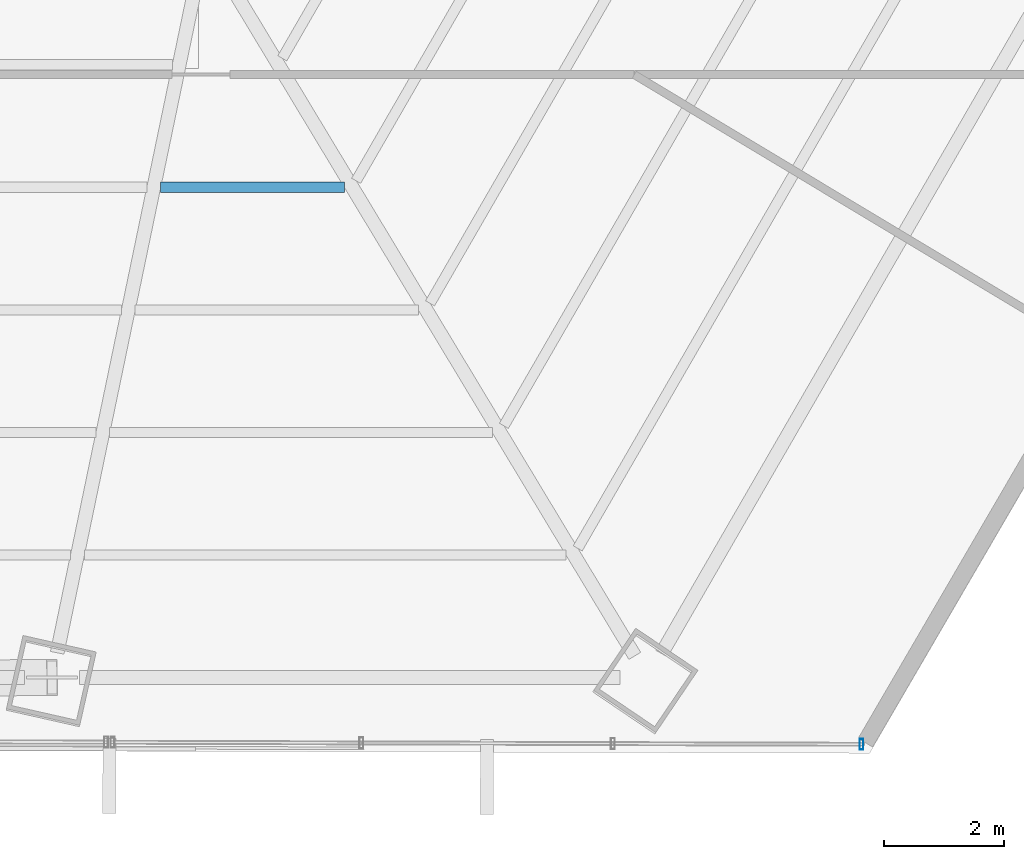
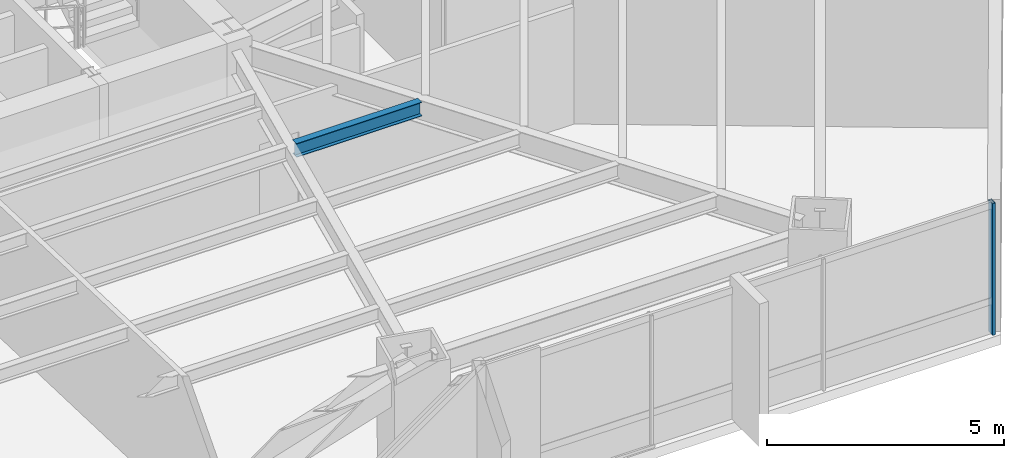
# One storey, part 14 of 33: 1 beam, 1 member, 1 element without a shape of its own.
"""IFC4 building model written with IfcOpenShell, lengths in metres."""

from ifc_helpers import new_model, si_unit, direction, frame, origin, origin_2d, place, context, subcontext, project, spatial, hollow_rectangle, i_section, extrude, source, transform, mapped, material, material_profile, profile_set, type_object, type_shapes, element, aggregate, save


model = new_model("IFC4")

# Units and contexts
model_context = context("Model", 3, precision=1e-05, world=origin(), true_north=direction((0.0, 1.0)))
body_context = subcontext(model_context, "Body", "Model", "MODEL_VIEW")
ifc_project = project(units=[si_unit("LENGTHUNIT", "METRE"), si_unit("AREAUNIT", "SQUARE_METRE"), si_unit("VOLUMEUNIT", "CUBIC_METRE"), si_unit("PLANEANGLEUNIT", "RADIAN"), si_unit("MASSUNIT", "GRAM", prefix="KILO")], contexts=[model_context])

# Site, building, storey
site_placement = place(None, origin())
site = spatial("IfcSite", under=ifc_project, at=site_placement, CompositionType="ELEMENT")
building_placement = place(site_placement, origin())
building = spatial("IfcBuilding", under=site, at=building_placement, Name="Caelisora Broadcast Tower", CompositionType="ELEMENT")
storey_placement = place(building_placement, frame((0.0, 0.0, 42.199951171875)))
storey = spatial("IfcBuildingStorey", under=building, at=storey_placement, Name="L10", CompositionType="ELEMENT", Elevation=42.199951171875)

# Beam
ifc_material_1 = material(Name="Steel Grade 350 (AS/NZS 3679.1)", Category="steel")
ifc_material_profile_1 = material_profile(ifc_material_1, i_section(OverallWidth=0.172119140625, OverallDepth=0.358642578125, WebThickness=0.008056640625, FlangeThickness=0.012939453125, at=origin_2d()), Name="Steel Grade 350 (AS/NZS 3679.1)")
ifc_profile_set_1 = profile_set([ifc_material_profile_1], Name="Steel Grade 350 (AS/NZS 3679.1)")
beam_type = type_object("IfcBeamType", Name="SB02", PredefinedType="JOIST", material=ifc_profile_set_1)
shared_shape_1 = source(origin(), body_context, "Body", "SweptSolid", [
    extrude(i_section(OverallWidth=0.172119140625, OverallDepth=0.358642578125, WebThickness=0.008056640625, FlangeThickness=0.012939453125, at=origin_2d()), origin(), (0.0, 0.0, 1.0), 3.062744140625),
])
type_shapes(beam_type, [shared_shape_1])
beam_placement = place(storey_placement, frame((44.7666015625, 13.320556640625, 3.220703125), z_axis=(1.0, 0.0, 0.0), x_axis=(0.0, 1.0, 0.0)))
element("IfcBeam", 1, at=beam_placement, inside=storey, type_object=beam_type, Name="L10 beam SB02", PredefinedType="JOIST", context=body_context, shape_type="MappedRepresentation", body=[
    mapped(shared_shape_1, transform((0.0, 0.0, 0.0), scale=1.0)),
])

# Curtain wall, member
ifc_material_2 = material(Name="Unitised Aluminium and Low-E Glass Curtain Wall", Category="glass")
curtain_wall_type = type_object("IfcCurtainWallType", Name="CW-Z1", PredefinedType="NOTDEFINED", material=ifc_material_2)
curtain_wall_placement = place(storey_placement, origin())
curtain_wall = element("IfcCurtainWall", 2, at=curtain_wall_placement, inside=storey, type_object=curtain_wall_type, Name="L10 curtain wall CW-Z1", PredefinedType="NOTDEFINED")
ifc_material_3 = material(Name="Aluminium 6063-T6 Anodised Terracotta Bronze", Category="aluminium")
ifc_material_profile_2 = material_profile(ifc_material_3, hollow_rectangle(XDim=0.06494140625, YDim=0.179931640625, WallThickness=0.00341796875, at=origin_2d()), Name="Aluminium 6063-T6 Anodised Terracotta Bronze")
ifc_profile_set_2 = profile_set([ifc_material_profile_2], Name="Aluminium 6063-T6 Anodised Terracotta Bronze")
member_type = type_object("IfcMemberType", Name="CWM-02", PredefinedType="MULLION", material=ifc_profile_set_2)
shared_shape_2 = source(origin(), body_context, "Body", "SweptSolid", [
    extrude(hollow_rectangle(XDim=0.06494140625, YDim=0.179931640625, WallThickness=0.00341796875, at=origin_2d()), origin(), (0.0, 0.0, 1.0), 3.400146484375),
])
type_shapes(member_type, [shared_shape_2])
member_placement = place(storey_placement, frame((56.43603515625, 4.049072265625, 0.0), z_axis=(0.0, 0.0, 1.0), x_axis=(1.0, 0.0, 0.0)))
member = element("IfcMember", 3, at=member_placement, type_object=member_type, Name="L10-CW-B05 mullion #0", PredefinedType="MULLION", context=body_context, shape_type="MappedRepresentation", body=[
    mapped(shared_shape_2, transform((0.0, 0.0, 0.0), scale=1.0)),
])
aggregate(curtain_wall, [member])

save(model, "model.ifc")
